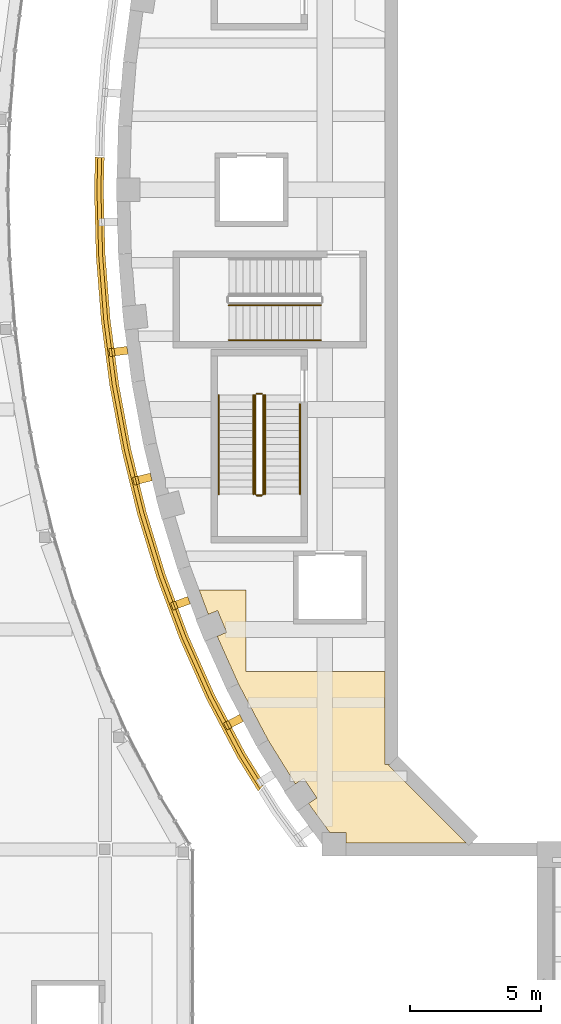
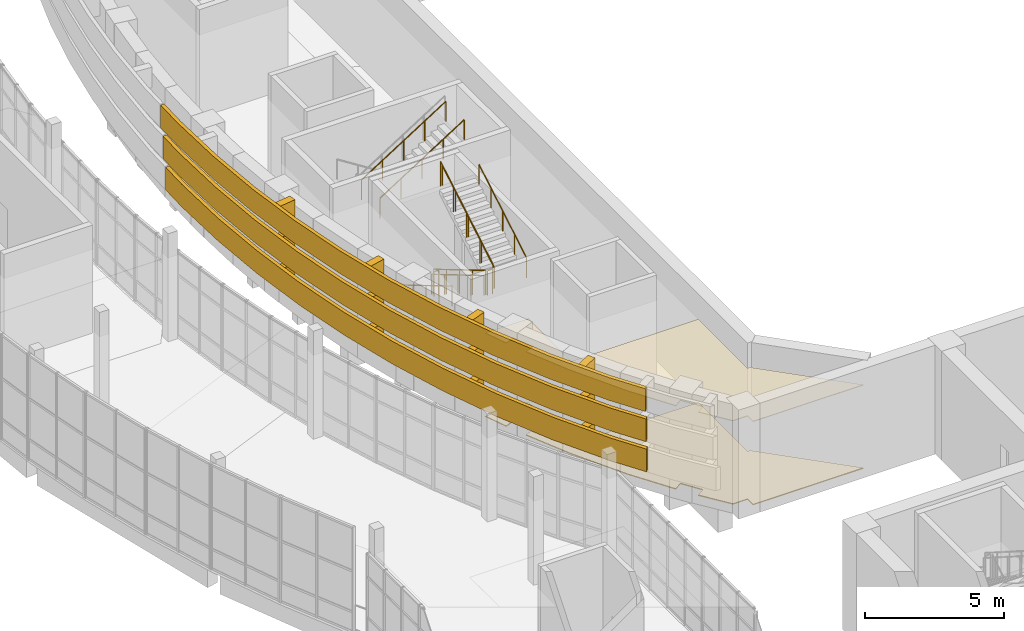
# One storey, part 87 of 103: 17 coverings, 10 railings.
"""IFC4 building model written with IfcOpenShell, lengths in metres."""

from ifc_helpers import new_model, si_unit, direction, frame, origin, origin_2d, place, context, subcontext, project, spatial, polyline, rectangle, circle, outline, extrude, material, layer, layer_set, type_object, element, save


model = new_model("IFC4")

# Units and contexts
model_context = context("Model", 3, precision=1e-05, world=origin(), true_north=direction((0.0, 1.0)))
body_context = subcontext(model_context, "Body", "Model", "MODEL_VIEW")
ifc_project = project(units=[si_unit("LENGTHUNIT", "METRE"), si_unit("AREAUNIT", "SQUARE_METRE"), si_unit("VOLUMEUNIT", "CUBIC_METRE"), si_unit("PLANEANGLEUNIT", "RADIAN"), si_unit("MASSUNIT", "GRAM", prefix="KILO")], contexts=[model_context])

# Site, building, storey
site_placement = place(None, origin())
site = spatial("IfcSite", under=ifc_project, at=site_placement, CompositionType="ELEMENT")
building_placement = place(site_placement, origin())
building = spatial("IfcBuilding", under=site, at=building_placement, Name="Larchfold Concert Hall", CompositionType="ELEMENT")
storey_placement = place(building_placement, frame((0.0, 0.0, 9.60009765625)))
storey = spatial("IfcBuildingStorey", under=building, at=storey_placement, Name="L02", CompositionType="ELEMENT", Elevation=9.60009765625)

# Coverings
ifc_material_1 = material(Name="Plasterboard ceiling lining")
ifc_layer_1 = layer(ifc_material_1, 0.030029296875)
ifc_layer_set_1 = layer_set([ifc_layer_1], Name="Plasterboard ceiling lining")
covering_type_1 = type_object("IfcCoveringType", Name="Ceiling suspended plasterboard 30", PredefinedType="CEILING", material=ifc_layer_set_1)
covering_1_placement = place(storey_placement, frame((0.0, 0.0, 3.669921875)))
element("IfcCovering", 1, at=covering_1_placement, inside=storey, type_object=covering_type_1, Name="Ceiling Hall Foyer South West", PredefinedType="CEILING", context=body_context, shape_type="SweptSolid", body=[
    extrude(outline(polyline([(28.10009765625, 66.199951171875), (22.800048828125, 66.199951171875), (22.800048828125, 69.300048828125), (21.00634765625, 69.300048828125), (21.3505859375, 68.375244140625), (21.7080078125, 68.52099609375), (22.0478515625, 67.6875), (21.690673828125, 67.5419921875), (22.4970703125, 65.731201171875), (23.63134765625, 63.580078125), (24.67626953125, 61.89794921875), (24.993896484375, 62.112060546875), (25.4970703125, 61.36572265625), (25.179931640625, 61.152099609375), (25.987060546875, 60.0498046875), (26.60302734375, 60.0498046875), (26.60302734375, 59.64990234375), (31.196533203125, 59.64990234375), (28.24609375, 62.600341796875), (28.29443359375, 62.648681640625), (28.10009765625, 62.648681640625), (28.10009765625, 66.199951171875)])), origin(), (0.0, 0.0, 1.0), 0.030029296875),
])
ifc_material_2 = material(Name="Polished terrazzo")
ifc_layer_2 = layer(ifc_material_2, 0.0400390625)
ifc_layer_set_2 = layer_set([ifc_layer_2], Name="Polished terrazzo")
covering_type_2 = type_object("IfcCoveringType", Name="Floor finish terrazzo 40", PredefinedType="FLOORING", material=ifc_layer_set_2)
covering_2_placement = place(storey_placement, origin())
element("IfcCovering", 2, at=covering_2_placement, inside=storey, type_object=covering_type_2, Name="Floor finish Hall Foyer South West", PredefinedType="FLOORING", context=body_context, shape_type="SweptSolid", body=[
    extrude(outline(polyline([(28.10009765625, 66.199951171875), (22.800048828125, 66.199951171875), (22.800048828125, 69.300048828125), (21.00634765625, 69.300048828125), (21.3505859375, 68.375244140625), (21.7080078125, 68.52099609375), (22.0478515625, 67.6875), (21.690673828125, 67.5419921875), (22.4970703125, 65.731201171875), (23.63134765625, 63.580078125), (24.67626953125, 61.89794921875), (24.993896484375, 62.112060546875), (25.4970703125, 61.36572265625), (25.179931640625, 61.152099609375), (25.987060546875, 60.0498046875), (26.60302734375, 60.0498046875), (26.60302734375, 59.64990234375), (31.196533203125, 59.64990234375), (28.24609375, 62.600341796875), (28.29443359375, 62.648681640625), (28.10009765625, 62.648681640625), (28.10009765625, 66.199951171875)])), origin(), (0.0, 0.0, 1.0), 0.0400390625),
])
ifc_material_3 = material(Name="Powder-coated orange aluminium", Category="aluminium")
ifc_layer_3 = layer(ifc_material_3, 0.14990234375)
ifc_layer_set_3 = layer_set([ifc_layer_3], Name="Powder-coated orange aluminium")
covering_type_3 = type_object("IfcCoveringType", Name="Orange aluminium ring cladding", PredefinedType="CLADDING", material=ifc_layer_set_3)
covering_3_placement = place(storey_placement, frame((0.0, 0.0, 1.2998046875)))
element("IfcCovering", 3, at=covering_3_placement, inside=storey, type_object=covering_type_3, Name="Ring band R03c", PredefinedType="CLADDING", context=body_context, shape_type="SweptSolid", body=[
    extrude(outline(polyline([(17.349853515625, 84.60009765625), (17.38134765625, 85.82275390625), (17.2314453125, 85.830322265625), (17.199951171875, 84.60009765625), (17.264404296875, 82.105224609375), (17.459228515625, 79.6162109375), (17.78515625, 77.140869140625), (18.24365234375, 74.68505859375), (18.837158203125, 72.257080078125), (19.56884765625, 69.864990234375), (20.4423828125, 67.5185546875), (21.4619140625, 65.228271484375), (22.633056640625, 63.007568359375), (23.39453125, 61.781982421875), (23.49609375, 61.90283203125), (22.76318359375, 63.082275390625), (21.596923828125, 65.2939453125), (20.581298828125, 67.575439453125), (19.7109375, 69.913330078125), (18.981689453125, 72.296875), (18.390380859375, 74.716796875), (17.933349609375, 77.164306640625), (17.6083984375, 79.6318359375), (17.414306640625, 82.113037109375), (17.349853515625, 84.60009765625)])), origin(), (0.0, 0.0, 1.0), 1.0),
])
covering_4_placement = place(storey_placement, frame((0.0, 0.0, 2.699951171875)))
element("IfcCovering", 4, at=covering_4_placement, inside=storey, type_object=covering_type_3, Name="Ring band R04c", PredefinedType="CLADDING", context=body_context, shape_type="SweptSolid", body=[
    extrude(outline(polyline([(17.25, 84.60009765625), (17.281494140625, 85.827880859375), (17.131591796875, 85.835205078125), (17.099853515625, 84.60009765625), (17.16455078125, 82.099853515625), (17.35986328125, 79.605712890625), (17.686279296875, 77.125), (18.14599609375, 74.6640625), (18.74072265625, 72.23046875), (19.47412109375, 69.8330078125), (20.349609375, 67.480712890625), (21.371826171875, 65.1845703125), (22.546142578125, 62.957763671875), (23.32666015625, 61.70166015625), (23.42822265625, 61.822265625), (22.676513671875, 63.032470703125), (21.5068359375, 65.250244140625), (20.48876953125, 67.53759765625), (19.6162109375, 69.881103515625), (18.88525390625, 72.270263671875), (18.292724609375, 74.695556640625), (17.83447265625, 77.148681640625), (17.509033203125, 79.62158203125), (17.314453125, 82.107666015625), (17.25, 84.60009765625)])), origin(), (0.0, 0.0, 1.0), 1.0),
])
covering_5_placement = place(storey_placement, frame((0.0, 0.0, 4.099853515625)))
element("IfcCovering", 5, at=covering_5_placement, inside=storey, type_object=covering_type_3, Name="Ring band R05c", PredefinedType="CLADDING", context=body_context, shape_type="SweptSolid", body=[
    extrude(outline(polyline([(17.14990234375, 84.60009765625), (17.181640625, 85.832763671875), (17.03173828125, 85.840087890625), (16.999755859375, 84.60009765625), (17.064697265625, 82.0947265625), (17.26025390625, 79.595458984375), (17.58740234375, 77.109375), (18.048095703125, 74.64306640625), (18.644287109375, 72.2041015625), (19.37939453125, 69.80078125), (20.257080078125, 67.44287109375), (21.28173828125, 65.140869140625), (22.45947265625, 62.907958984375), (23.259033203125, 61.62109375), (23.360595703125, 61.74169921875), (22.589599609375, 62.982666015625), (21.416748046875, 65.20654296875), (20.39599609375, 67.499755859375), (19.521484375, 69.84912109375), (18.788818359375, 72.243896484375), (18.19482421875, 74.674560546875), (17.735595703125, 77.1328125), (17.409423828125, 79.611083984375), (17.214599609375, 82.1025390625), (17.14990234375, 84.60009765625)])), origin(), (0.0, 0.0, 1.0), 1.0),
])
ifc_material_4 = material(Name="Galvanised steel bracket", Category="steel")
ifc_layer_4 = layer(ifc_material_4, 0.300048828125)
ifc_layer_set_4 = layer_set([ifc_layer_4], Name="Galvanised steel bracket")
covering_type_4 = type_object("IfcCoveringType", Name="Ring support bracket", PredefinedType="CLADDING", material=ifc_layer_set_4)
for number, where, z_axis, x_axis, name in (
    (6, (18.018798828125, 78.430908203125, 1.349853515625), (0.0, 0.0, 1.0), (-0.991449907596, -0.130487856632, 0.0), "Ring bracket BR-R03-21"),
    (7, (18.928955078125, 73.56640625, 1.349853515625), (0.0, 0.0, 1.0), (-0.971411707345, -0.237401126438, 0.0), "Ring bracket BR-R03-22"),
    (8, (20.38037109375, 68.831787109375, 1.349853515625), (0.0, 0.0, 1.0), (-0.937177411386, -0.348853120364, 0.0), "Ring bracket BR-R03-23"),
    (9, (22.40087890625, 64.30517578125, 1.349853515625), (0.0, 0.0, 1.0), (-0.884535681061, -0.466472538238, 0.0), "Ring bracket BR-R03-24"),
):
    element("IfcCovering", number, at=place(storey_placement, frame(where, z_axis=z_axis, x_axis=x_axis)), inside=storey, type_object=covering_type_4, Name=name, PredefinedType="CLADDING", context=body_context, shape_type="SweptSolid", body=[
        extrude(rectangle(XDim=0.5, YDim=0.300048828125, at=origin_2d()), origin(), (0.0, 0.0, 1.0), 0.89990234375),
    ])
for number, where, z_axis, x_axis, name in (
    (10, (17.96923828125, 78.42431640625, 2.75), (0.0, 0.0, 1.0), (-0.991449907596, -0.130487856632, 0.0), "Ring bracket BR-R04-21"),
    (11, (18.88037109375, 73.554443359375, 2.75), (0.0, 0.0, 1.0), (-0.971411707345, -0.237401126438, 0.0), "Ring bracket BR-R04-22"),
    (12, (20.33349609375, 68.814453125, 2.75), (0.0, 0.0, 1.0), (-0.937177411386, -0.348853120364, 0.0), "Ring bracket BR-R04-23"),
    (13, (22.356689453125, 64.28173828125, 2.75), (0.0, 0.0, 1.0), (-0.884535681061, -0.466472538238, 0.0), "Ring bracket BR-R04-24"),
):
    element("IfcCovering", number, at=place(storey_placement, frame(where, z_axis=z_axis, x_axis=x_axis)), inside=storey, type_object=covering_type_4, Name=name, PredefinedType="CLADDING", context=body_context, shape_type="SweptSolid", body=[
        extrude(rectangle(XDim=0.60009765625, YDim=0.300048828125, at=origin_2d()), origin(), (0.0, 0.0, 1.0), 0.89990234375),
    ])
for number, where, z_axis, x_axis, name in (
    (14, (17.919677734375, 78.417724609375, 4.14990234375), (0.0, 0.0, 1.0), (-0.991449907596, -0.130487856632, 0.0), "Ring bracket BR-R05-21"),
    (15, (18.831787109375, 73.542724609375, 4.14990234375), (0.0, 0.0, 1.0), (-0.971411707345, -0.237401126438, 0.0), "Ring bracket BR-R05-22"),
    (16, (20.28662109375, 68.796875, 4.14990234375), (0.0, 0.0, 1.0), (-0.937177411386, -0.348853120364, 0.0), "Ring bracket BR-R05-23"),
    (17, (22.3125, 64.258544921875, 4.14990234375), (0.0, 0.0, 1.0), (-0.884535681061, -0.466472538238, 0.0), "Ring bracket BR-R05-24"),
):
    element("IfcCovering", number, at=place(storey_placement, frame(where, z_axis=z_axis, x_axis=x_axis)), inside=storey, type_object=covering_type_4, Name=name, PredefinedType="CLADDING", context=body_context, shape_type="SweptSolid", body=[
        extrude(rectangle(XDim=0.699951171875, YDim=0.300048828125, at=origin_2d()), origin(), (0.0, 0.0, 1.0), 0.89990234375),
    ])

# Railings
ifc_material_5 = material(Name="Stainless steel balustrade", Category="steel")
railing_type_1 = type_object("IfcRailingType", Name="Stair guard 1100", PredefinedType="GUARDRAIL", material=ifc_material_5)
railing_1_placement = place(storey_placement, frame((23.14990234375, 76.75, 0.159912109375)))
element("IfcRailing", 18, at=railing_1_placement, inside=storey, type_object=railing_type_1, Name="Guard GR0020", PredefinedType="GUARDRAIL", context=body_context, shape_type="SweptSolid", body=[
    extrude(circle(Radius=0.02392578125, at=origin_2d()), frame((0.0, 0.0, 1.076171875), z_axis=(0.0, -0.860294241299, 0.509797821089), x_axis=(1.0, 0.0, 0.0)), (0.0, 0.0, 1.0), 4.393798828125),
    extrude(circle(Radius=0.02099609375, at=origin_2d()), origin(), (0.0, 0.0, 1.0), 1.052001953125),
    extrude(circle(Radius=0.02099609375, at=origin_2d()), frame((0.0, -0.945068359375, 0.56005859375)), (0.0, 0.0, 1.0), 1.052001953125),
    extrude(circle(Radius=0.02099609375, at=origin_2d()), frame((0.0, -1.89013671875, 1.1201171875)), (0.0, 0.0, 1.0), 1.052001953125),
    extrude(circle(Radius=0.02099609375, at=origin_2d()), frame((0.0, -2.8349609375, 1.679931640625)), (0.0, 0.0, 1.0), 1.052001953125),
    extrude(circle(Radius=0.02099609375, at=origin_2d()), frame((0.0, -3.780029296875, 2.239990234375)), (0.0, 0.0, 1.0), 1.052001953125),
])
railing_2_placement = place(storey_placement, frame((23.199951171875, 72.919921875, 2.39990234375)))
element("IfcRailing", 19, at=railing_2_placement, inside=storey, type_object=railing_type_1, Name="Guard GR0021", PredefinedType="GUARDRAIL", context=body_context, shape_type="SweptSolid", body=[
    extrude(circle(Radius=0.02392578125, at=origin_2d()), frame((0.0, 0.0, 1.076171875), z_axis=(1.0, 0.0, 0.0), x_axis=(0.0, 1.0, 0.0)), (0.0, 0.0, 1.0), 0.199951171875),
    extrude(circle(Radius=0.02099609375, at=origin_2d()), origin(), (0.0, 0.0, 1.0), 1.052001953125),
    extrude(circle(Radius=0.02099609375, at=origin_2d()), frame((0.199951171875, 0.0, 0.0)), (0.0, 0.0, 1.0), 1.052001953125),
])
railing_3_placement = place(storey_placement, frame((23.449951171875, 72.969970703125, 2.559814453125)))
element("IfcRailing", 20, at=railing_3_placement, inside=storey, type_object=railing_type_1, Name="Guard GR0022", PredefinedType="GUARDRAIL", context=body_context, shape_type="SweptSolid", body=[
    extrude(circle(Radius=0.02392578125, at=origin_2d()), frame((0.0, 0.0, 1.076171875), z_axis=(0.0, 0.860294241299, 0.509797821089), x_axis=(-1.0, 0.0, 0.0)), (0.0, 0.0, 1.0), 4.393798828125),
    extrude(circle(Radius=0.02099609375, at=origin_2d()), origin(), (0.0, 0.0, 1.0), 1.052001953125),
    extrude(circle(Radius=0.02099609375, at=origin_2d()), frame((0.0, 0.945068359375, 0.56005859375)), (0.0, 0.0, 1.0), 1.052001953125),
    extrude(circle(Radius=0.02099609375, at=origin_2d()), frame((0.0, 1.89013671875, 1.1201171875)), (0.0, 0.0, 1.0), 1.052001953125),
    extrude(circle(Radius=0.02099609375, at=origin_2d()), frame((0.0, 2.8349609375, 1.679931640625)), (0.0, 0.0, 1.0), 1.052001953125),
    extrude(circle(Radius=0.02099609375, at=origin_2d()), frame((0.0, 3.780029296875, 2.239990234375)), (0.0, 0.0, 1.0), 1.052001953125),
])
railing_4_placement = place(storey_placement, frame((23.199951171875, 76.800048828125, 0.0)))
element("IfcRailing", 21, at=railing_4_placement, inside=storey, type_object=railing_type_1, Name="Guard GR0023", PredefinedType="GUARDRAIL", context=body_context, shape_type="SweptSolid", body=[
    extrude(circle(Radius=0.02392578125, at=origin_2d()), frame((0.0, 0.0, 1.076171875), z_axis=(1.0, 0.0, 0.0), x_axis=(0.0, 1.0, 0.0)), (0.0, 0.0, 1.0), 0.199951171875),
    extrude(circle(Radius=0.02099609375, at=origin_2d()), origin(), (0.0, 0.0, 1.0), 1.052001953125),
    extrude(circle(Radius=0.02099609375, at=origin_2d()), frame((0.199951171875, 0.0, 0.0)), (0.0, 0.0, 1.0), 1.052001953125),
])
ifc_material_6 = material(Name="Stainless steel handrail", Category="steel")
railing_type_2 = type_object("IfcRailingType", Name="Stair handrail 900", PredefinedType="HANDRAIL", material=ifc_material_6)
railing_5_placement = place(storey_placement, frame((21.75, 76.75, 0.159912109375)))
element("IfcRailing", 22, at=railing_5_placement, inside=storey, type_object=railing_type_2, Name="Handrail HR0017", PredefinedType="HANDRAIL", context=body_context, shape_type="SweptSolid", body=[
    extrude(circle(Radius=0.02392578125, at=origin_2d()), frame((0.0, 0.0, 0.8759765625), z_axis=(0.0, -0.860294241299, 0.509797821089), x_axis=(1.0, 0.0, 0.0)), (0.0, 0.0, 1.0), 4.393798828125),
    extrude(circle(Radius=0.02099609375, at=origin_2d()), origin(), (0.0, 0.0, 1.0), 0.851806640625),
    extrude(circle(Radius=0.02099609375, at=origin_2d()), frame((0.0, -0.945068359375, 0.56005859375)), (0.0, 0.0, 1.0), 0.851806640625),
    extrude(circle(Radius=0.02099609375, at=origin_2d()), frame((0.0, -1.89013671875, 1.1201171875)), (0.0, 0.0, 1.0), 0.851806640625),
    extrude(circle(Radius=0.02099609375, at=origin_2d()), frame((0.0, -2.8349609375, 1.679931640625)), (0.0, 0.0, 1.0), 0.851806640625),
    extrude(circle(Radius=0.02099609375, at=origin_2d()), frame((0.0, -3.780029296875, 2.239990234375)), (0.0, 0.0, 1.0), 0.851806640625),
])
railing_6_placement = place(storey_placement, frame((24.85009765625, 72.969970703125, 2.559814453125)))
element("IfcRailing", 23, at=railing_6_placement, inside=storey, type_object=railing_type_2, Name="Handrail HR0018", PredefinedType="HANDRAIL", context=body_context, shape_type="SweptSolid", body=[
    extrude(circle(Radius=0.02392578125, at=origin_2d()), frame((0.0, 0.0, 0.8759765625), z_axis=(0.0, 0.860273629211, 0.509832602805), x_axis=(-1.0, 0.0, 0.0)), (0.0, 0.0, 1.0), 3.987060546875),
    extrude(circle(Radius=0.02099609375, at=origin_2d()), origin(), (0.0, 0.0, 1.0), 0.851806640625),
    extrude(circle(Radius=0.02099609375, at=origin_2d()), frame((0.0, 0.857421875, 0.50830078125)), (0.0, 0.0, 1.0), 0.851806640625),
    extrude(circle(Radius=0.02099609375, at=origin_2d()), frame((0.0, 1.71484375, 1.016357421875)), (0.0, 0.0, 1.0), 0.851806640625),
    extrude(circle(Radius=0.02099609375, at=origin_2d()), frame((0.0, 2.572509765625, 1.5244140625)), (0.0, 0.0, 1.0), 0.851806640625),
    extrude(circle(Radius=0.02099609375, at=origin_2d()), frame((0.0, 3.429931640625, 2.03271484375)), (0.0, 0.0, 1.0), 0.851806640625),
])
railing_7_placement = place(storey_placement, frame((23.079833984375, 76.75, 0.159912109375)))
element("IfcRailing", 24, at=railing_7_placement, inside=storey, type_object=railing_type_2, Name="Handrail HR0019", PredefinedType="HANDRAIL", context=body_context, shape_type="SweptSolid", body=[
    extrude(circle(Radius=0.02392578125, at=origin_2d()), frame((0.0, 0.0, 0.8759765625), z_axis=(0.0, -0.860294241299, 0.509797821089), x_axis=(1.0, 0.0, 0.0)), (0.0, 0.0, 1.0), 4.393798828125),
    extrude(circle(Radius=0.02099609375, at=origin_2d()), origin(), (0.0, 0.0, 1.0), 0.851806640625),
    extrude(circle(Radius=0.02099609375, at=origin_2d()), frame((0.0, -0.945068359375, 0.56005859375)), (0.0, 0.0, 1.0), 0.851806640625),
    extrude(circle(Radius=0.02099609375, at=origin_2d()), frame((0.0, -1.89013671875, 1.1201171875)), (0.0, 0.0, 1.0), 0.851806640625),
    extrude(circle(Radius=0.02099609375, at=origin_2d()), frame((0.0, -2.8349609375, 1.679931640625)), (0.0, 0.0, 1.0), 0.851806640625),
    extrude(circle(Radius=0.02099609375, at=origin_2d()), frame((0.0, -3.780029296875, 2.239990234375)), (0.0, 0.0, 1.0), 0.851806640625),
])
railing_8_placement = place(storey_placement, frame((23.52001953125, 72.969970703125, 2.559814453125)))
element("IfcRailing", 25, at=railing_8_placement, inside=storey, type_object=railing_type_2, Name="Handrail HR0020", PredefinedType="HANDRAIL", context=body_context, shape_type="SweptSolid", body=[
    extrude(circle(Radius=0.02392578125, at=origin_2d()), frame((0.0, 0.0, 0.8759765625), z_axis=(0.0, 0.860294241299, 0.509797821089), x_axis=(-1.0, 0.0, 0.0)), (0.0, 0.0, 1.0), 4.393798828125),
    extrude(circle(Radius=0.02099609375, at=origin_2d()), origin(), (0.0, 0.0, 1.0), 0.851806640625),
    extrude(circle(Radius=0.02099609375, at=origin_2d()), frame((0.0, 0.945068359375, 0.56005859375)), (0.0, 0.0, 1.0), 0.851806640625),
    extrude(circle(Radius=0.02099609375, at=origin_2d()), frame((0.0, 1.89013671875, 1.1201171875)), (0.0, 0.0, 1.0), 0.851806640625),
    extrude(circle(Radius=0.02099609375, at=origin_2d()), frame((0.0, 2.8349609375, 1.679931640625)), (0.0, 0.0, 1.0), 0.851806640625),
    extrude(circle(Radius=0.02099609375, at=origin_2d()), frame((0.0, 3.780029296875, 2.239990234375)), (0.0, 0.0, 1.0), 0.851806640625),
])
for number, where, name in (
    (26, (22.139892578125, 78.85009765625, 2.5712890625), "Handrail HR0026"),
    (27, (22.139892578125, 80.179931640625, 2.5712890625), "Handrail HR0028"),
):
    element("IfcRailing", number, at=place(storey_placement, frame(where)), inside=storey, type_object=railing_type_2, Name=name, PredefinedType="HANDRAIL", context=body_context, shape_type="SweptSolid", body=[
        extrude(circle(Radius=0.02392578125, at=origin_2d()), frame((0.0, 0.0, 0.8759765625), z_axis=(0.844219563411, 0.0, 0.53599750816), x_axis=(0.0, 1.0, 0.0)), (0.0, 0.0, 1.0), 4.15771484375),
        extrude(circle(Radius=0.02099609375, at=origin_2d()), origin(), (0.0, 0.0, 1.0), 0.851806640625),
        extrude(circle(Radius=0.02099609375, at=origin_2d()), frame((0.87744140625, 0.0, 0.55712890625)), (0.0, 0.0, 1.0), 0.851806640625),
        extrude(circle(Radius=0.02099609375, at=origin_2d()), frame((1.7548828125, 0.0, 1.1142578125)), (0.0, 0.0, 1.0), 0.851806640625),
        extrude(circle(Radius=0.02099609375, at=origin_2d()), frame((2.632568359375, 0.0, 1.67138671875)), (0.0, 0.0, 1.0), 0.851806640625),
        extrude(circle(Radius=0.02099609375, at=origin_2d()), frame((3.510009765625, 0.0, 2.228515625)), (0.0, 0.0, 1.0), 0.851806640625),
    ])

save(model, "model.ifc")
